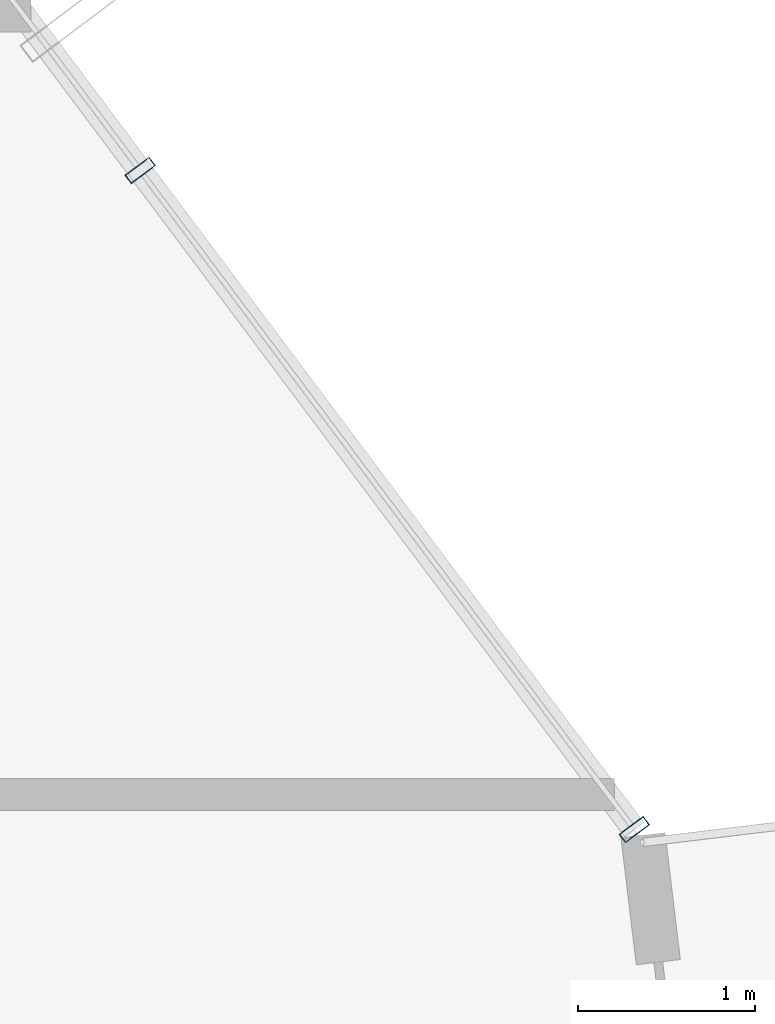
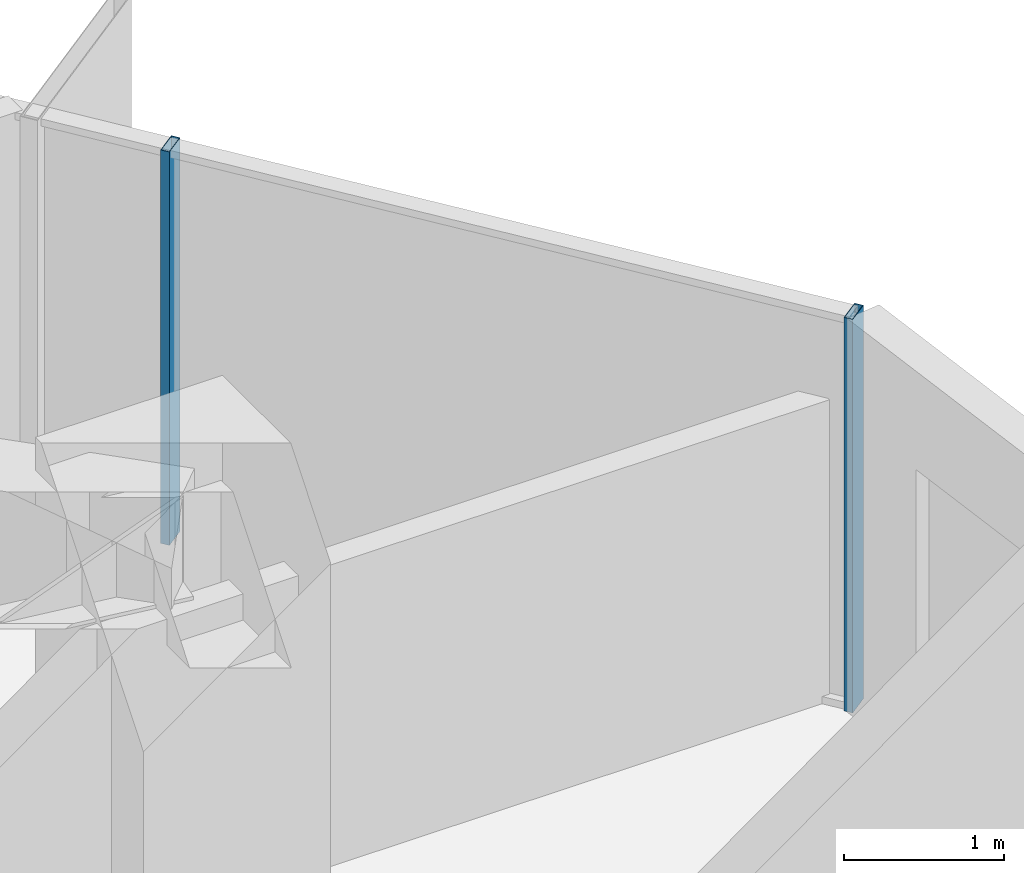
# One storey, part 20 of 37: 2 members, 1 element without a shape of its own.
"""IFC4 building model written with IfcOpenShell, lengths in metres."""

from ifc_helpers import new_model, si_unit, direction, frame, origin, origin_2d, place, context, subcontext, project, spatial, hollow_rectangle, extrude, source, transform, mapped, material, layer, layer_set, material_profile, profile_set, type_object, element, aggregate, save


model = new_model("IFC4")

# Units and contexts
model_context = context("Model", 3, precision=1e-05, world=origin(), true_north=direction((0.0, 1.0)))
body_context = subcontext(model_context, "Body", "Model", "MODEL_VIEW")
ifc_project = project(units=[si_unit("LENGTHUNIT", "METRE"), si_unit("AREAUNIT", "SQUARE_METRE"), si_unit("VOLUMEUNIT", "CUBIC_METRE"), si_unit("PLANEANGLEUNIT", "RADIAN"), si_unit("MASSUNIT", "GRAM", prefix="KILO")], contexts=[model_context])

# Site, building, storey
site_placement = place(None, origin())
site = spatial("IfcSite", under=ifc_project, at=site_placement, CompositionType="ELEMENT")
building_placement = place(site_placement, origin())
building = spatial("IfcBuilding", under=site, at=building_placement, Name="Veraguas Prism Commons", CompositionType="ELEMENT")
storey_placement = place(building_placement, frame((0.0, 0.0, 46.800048828125)))
storey = spatial("IfcBuildingStorey", under=building, at=storey_placement, Name="L12", CompositionType="ELEMENT", Elevation=46.800048828125)

# Curtain wall, members
ifc_material = material(Name="Anodised aluminium EN AW-6063 T6", Category="aluminium")
ifc_layer = layer(ifc_material, 0.169921875, Name="Unitised Flush Curtain Wall Zone 1", Category="aluminium")
ifc_layer_set = layer_set([ifc_layer], Name="Anodised aluminium EN AW-6063 T6")
curtain_wall_type = type_object("IfcCurtainWallType", Name="Unitised Flush Curtain Wall Zone 1", PredefinedType="NOTDEFINED", material=ifc_layer_set)
curtain_wall_placement = place(storey_placement, origin())
curtain_wall = element("IfcCurtainWall", 1, at=curtain_wall_placement, inside=storey, type_object=curtain_wall_type, Name="Tower Facade Curtain Wall L12-F1", PredefinedType="NOTDEFINED")
ifc_material_profile = material_profile(ifc_material, hollow_rectangle(XDim=0.06005859375, YDim=0.169921875, WallThickness=0.00390625, at=origin_2d()), Name="AL60X170X4")
ifc_profile_set = profile_set([ifc_material_profile], Name="Anodised aluminium EN AW-6063 T6")
member_type = type_object("IfcMemberType", Name="Curtain Wall Mullion Lower AL 60x170x4", PredefinedType="MULLION", material=ifc_profile_set)
shared_shape = source(origin(), body_context, "Body", "SweptSolid", [
    extrude(hollow_rectangle(XDim=0.06005859375, YDim=0.169921875, WallThickness=0.00390625, at=origin_2d()), origin(), (0.0, 0.0, 1.0), 3.0),
])
member_1_placement = place(storey_placement, frame((46.2158203125, 29.017333984375, 0.0), z_axis=(0.0, 0.0, 1.0), x_axis=(-0.599861793842, 0.800103635968, 0.0)))
member_1 = element("IfcMember", 2, at=member_1_placement, type_object=member_type, Name="CW-Z1 Mullion 1", PredefinedType="MULLION", context=body_context, shape_type="MappedRepresentation", body=[
    mapped(shared_shape, transform((0.0, 0.0, 0.0), scale=1.0)),
])
member_2_placement = place(storey_placement, frame((43.431884765625, 32.730712890625, 0.0), z_axis=(0.0, 0.0, 1.0), x_axis=(-0.599861793842, 0.800103635968, 0.0)))
member_2 = element("IfcMember", 3, at=member_2_placement, type_object=member_type, Name="CW-Z1 Mullion 2", PredefinedType="MULLION", context=body_context, shape_type="MappedRepresentation", body=[
    mapped(shared_shape, transform((0.0, 0.0, 0.0), scale=1.0)),
])
aggregate(curtain_wall, [member_1, member_2])

save(model, "model.ifc")
